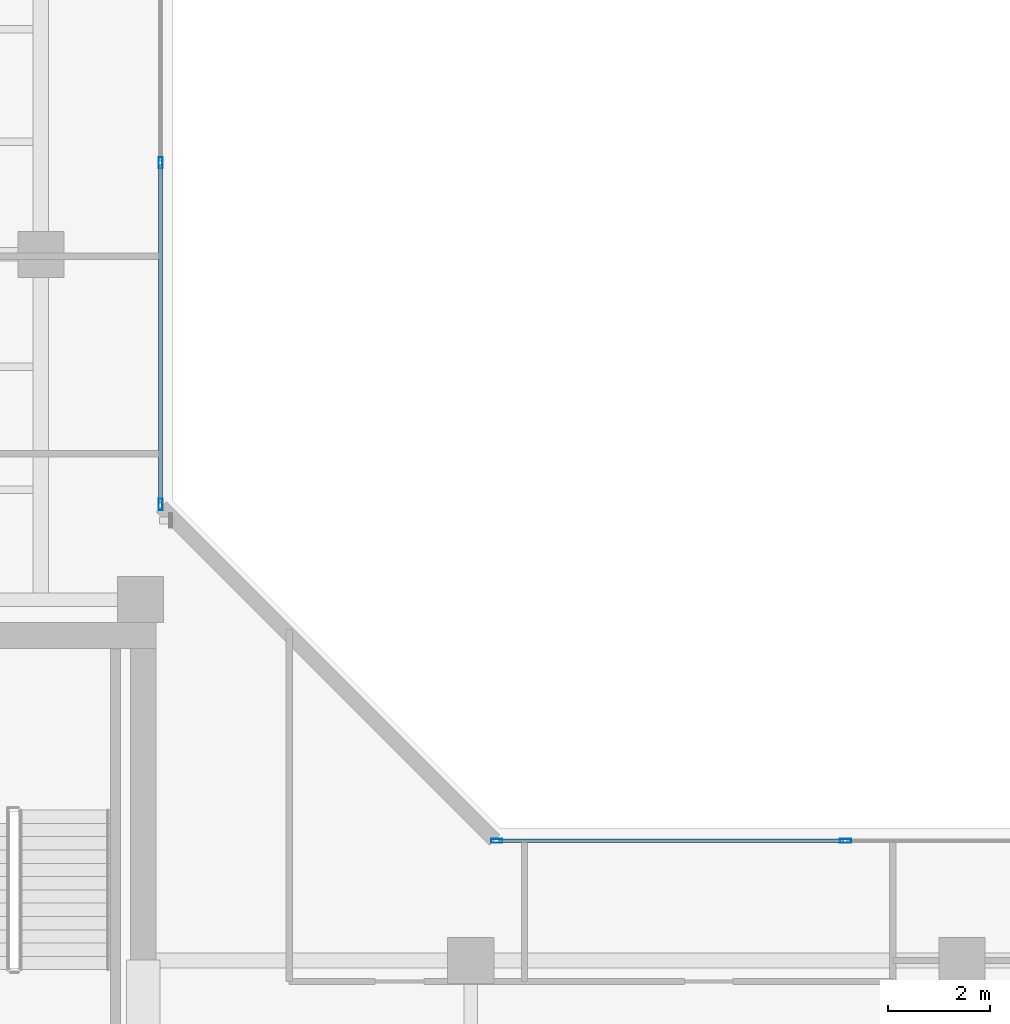
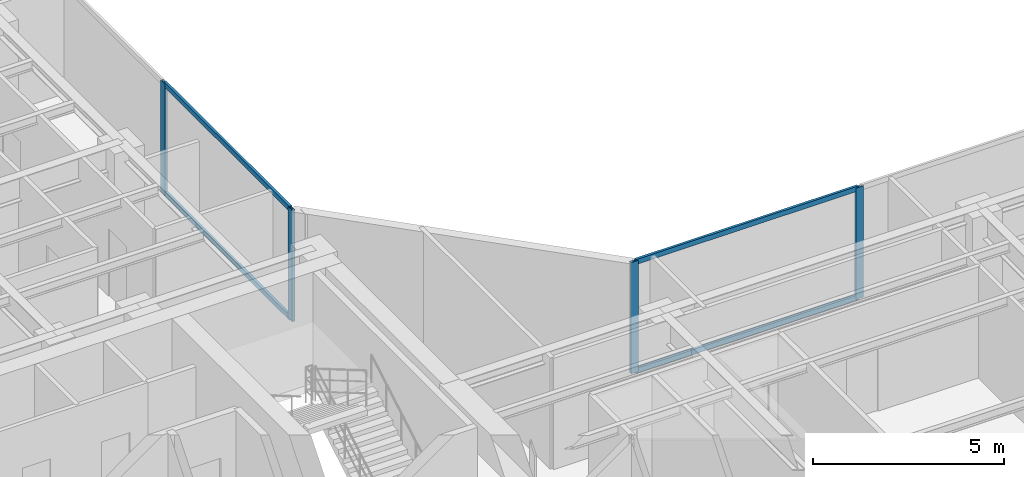
# One storey, part 10 of 23: 8 members, 2 elements without a shape of their own.
"""IFC4 building model written with IfcOpenShell, lengths in metres."""

from ifc_helpers import new_model, si_unit, direction, frame, origin, origin_with_axes, origin_2d, place, context, subcontext, project, spatial, hollow_rectangle, extrude, source, transform, mapped, material, layer, layer_set, material_profile, profile_set, type_object, element, aggregate, save


model = new_model("IFC4")

# Units and contexts
model_context = context("Model", 3, precision=1e-05, world=origin(), true_north=direction((0.0, 1.0)))
body_context = subcontext(model_context, "Body", "Model", "MODEL_VIEW")
ifc_project = project(units=[si_unit("LENGTHUNIT", "METRE"), si_unit("AREAUNIT", "SQUARE_METRE"), si_unit("VOLUMEUNIT", "CUBIC_METRE"), si_unit("PLANEANGLEUNIT", "RADIAN"), si_unit("MASSUNIT", "GRAM", prefix="KILO")], contexts=[model_context])

# Site, building, storey
site_placement = place(None, origin())
site = spatial("IfcSite", under=ifc_project, at=site_placement, CompositionType="ELEMENT")
building_placement = place(site_placement, origin())
building = spatial("IfcBuilding", under=site, at=building_placement, Name="Kolvaren Waterfront Exchange", CompositionType="ELEMENT")
storey_placement = place(building_placement, frame((0.0, 0.0, 270.39990234375)))
storey = spatial("IfcBuildingStorey", under=building, at=storey_placement, Name="L69", CompositionType="ELEMENT", Elevation=270.39990234375)

# Curtain wall, members
ifc_material_1 = material(Name="Anodised bronze aluminium 6063-T6", Category="aluminium")
ifc_layer = layer(ifc_material_1, 0.219970703125, Name="Anodised bronze aluminium 6063-T6")
ifc_layer_set = layer_set([ifc_layer], Name="Anodised bronze aluminium 6063-T6")
curtain_wall_type = type_object("IfcCurtainWallType", Name="ARC-CW-SYS1", PredefinedType="USERDEFINED", material=ifc_layer_set)
curtain_wall_1_placement = place(storey_placement, origin())
curtain_wall_1 = element("IfcCurtainWall", 1, at=curtain_wall_1_placement, inside=storey, type_object=curtain_wall_type, Name="L69 stick curtain wall CW1 (CW-L69-NE)", ObjectType="STICK CURTAIN WALL", PredefinedType="USERDEFINED")
ifc_material_2 = material(Name="Anodised aluminium 6063-T6", Category="aluminium")
ifc_material_profile_1 = material_profile(ifc_material_2, hollow_rectangle(XDim=0.080078125, YDim=0.219970703125, WallThickness=0.0048828125, at=origin_2d()), Name="ALU-MUL-220x80x5")
ifc_profile_set_1 = profile_set([ifc_material_profile_1], Name="Anodised aluminium 6063-T6")
member_type_1 = type_object("IfcMemberType", Name="ARC-CWM-220", PredefinedType="MULLION", material=ifc_profile_set_1)
shared_shape_1 = source(origin_with_axes(), body_context, "Body", "SweptSolid", [
    extrude(hollow_rectangle(XDim=0.080078125, YDim=0.219970703125, WallThickness=0.0048828125, at=origin_2d()), origin(), (0.0, 0.0, 1.0), 3.56005859375),
])
member_1_placement = place(storey_placement, frame((21.138916015625, 26.308837890625, 0.0), z_axis=(0.0, 0.0, 1.0), x_axis=(-1.0, 0.0, 0.0)))
member_1 = element("IfcMember", 2, at=member_1_placement, type_object=member_type_1, Name="CW1 mullion 1", PredefinedType="MULLION", context=body_context, shape_type="MappedRepresentation", body=[
    mapped(shared_shape_1, transform((0.0, 0.0, 0.0), x_axis=(1.0, 0.0, 0.0), y_axis=(0.0, 1.0, 0.0), z_axis=(0.0, 0.0, 1.0), scale=1.0)),
])
member_2_placement = place(storey_placement, frame((21.138916015625, 32.988037109375, 0.0), z_axis=(0.0, 0.0, 1.0), x_axis=(-1.0, 0.0, 0.0)))
member_2 = element("IfcMember", 3, at=member_2_placement, type_object=member_type_1, Name="CW1 mullion 2", PredefinedType="MULLION", context=body_context, shape_type="MappedRepresentation", body=[
    mapped(shared_shape_1, transform((0.0, 0.0, 0.0), x_axis=(1.0, 0.0, 0.0), y_axis=(0.0, 1.0, 0.0), z_axis=(0.0, 0.0, 1.0), scale=1.0)),
])

curtain_wall_2_placement = place(storey_placement, origin())
curtain_wall_2 = element("IfcCurtainWall", 4, at=curtain_wall_2_placement, inside=storey, type_object=curtain_wall_type, Name="L69 stick curtain wall CW1 (CW-L69-EN)", ObjectType="STICK CURTAIN WALL", PredefinedType="USERDEFINED")
member_3_placement = place(storey_placement, frame((27.708984375, 19.739013671875, 0.0), z_axis=(0.0, 0.0, 1.0), x_axis=(0.0, 1.0, 0.0)))
member_3 = element("IfcMember", 5, at=member_3_placement, type_object=member_type_1, Name="CW1 mullion 1", PredefinedType="MULLION", context=body_context, shape_type="MappedRepresentation", body=[
    mapped(shared_shape_1, transform((0.0, 0.0, 0.0), x_axis=(1.0, 0.0, 0.0), y_axis=(0.0, 1.0, 0.0), z_axis=(0.0, 0.0, 1.0), scale=1.0)),
])
member_4_placement = place(storey_placement, frame((34.521484375, 19.739013671875, 0.0), z_axis=(0.0, 0.0, 1.0), x_axis=(0.0, 1.0, 0.0)))
member_4 = element("IfcMember", 6, at=member_4_placement, type_object=member_type_1, Name="CW1 mullion 2", PredefinedType="MULLION", context=body_context, shape_type="MappedRepresentation", body=[
    mapped(shared_shape_1, transform((0.0, 0.0, 0.0), x_axis=(1.0, 0.0, 0.0), y_axis=(0.0, 1.0, 0.0), z_axis=(0.0, 0.0, 1.0), scale=1.0)),
])

# Member
ifc_material_profile_2 = material_profile(ifc_material_2, hollow_rectangle(XDim=0.074951171875, YDim=0.159912109375, WallThickness=0.00439453125, at=origin_2d()), Name="ALU-TRN-160x75x4.5")
ifc_profile_set_2 = profile_set([ifc_material_profile_2], Name="Anodised aluminium 6063-T6")
member_type_2 = type_object("IfcMemberType", Name="ARC-CWT-160", PredefinedType="USERDEFINED", material=ifc_profile_set_2)
shared_shape_2 = source(origin_with_axes(), body_context, "Body", "SweptSolid", [
    extrude(hollow_rectangle(XDim=0.074951171875, YDim=0.159912109375, WallThickness=0.00439453125, at=origin_2d()), origin(), (0.0, 0.0, 1.0), 6.59912109375),
])
member_5_placement = place(storey_placement, frame((21.138916015625, 26.348876953125, 0.03759765625), z_axis=(0.0, 1.0, 0.0), x_axis=(-1.0, 0.0, 0.0)))
member_5 = element("IfcMember", 7, at=member_5_placement, type_object=member_type_2, Name="CW1 transom 1.1", ObjectType="TRANSOM", PredefinedType="USERDEFINED", context=body_context, shape_type="MappedRepresentation", body=[
    mapped(shared_shape_2, transform((0.0, 0.0, 0.0), x_axis=(1.0, 0.0, 0.0), y_axis=(0.0, 1.0, 0.0), z_axis=(0.0, 0.0, 1.0), scale=1.0)),
])

member_6_placement = place(storey_placement, frame((21.138916015625, 26.348876953125, 3.522705078125), z_axis=(0.0, 1.0, 0.0), x_axis=(-1.0, 0.0, 0.0)))
member_6 = element("IfcMember", 8, at=member_6_placement, type_object=member_type_2, Name="CW1 transom 1.2", ObjectType="TRANSOM", PredefinedType="USERDEFINED", context=body_context, shape_type="MappedRepresentation", body=[
    mapped(shared_shape_2, transform((0.0, 0.0, 0.0), x_axis=(1.0, 0.0, 0.0), y_axis=(0.0, 1.0, 0.0), z_axis=(0.0, 0.0, 1.0), scale=1.0)),
])

aggregate(curtain_wall_1, [member_1, member_2, member_5, member_6])

shared_shape_3 = source(origin_with_axes(), body_context, "Body", "SweptSolid", [
    extrude(hollow_rectangle(XDim=0.074951171875, YDim=0.159912109375, WallThickness=0.00439453125, at=origin_2d()), origin(), (0.0, 0.0, 1.0), 6.732666015625),
])
member_7_placement = place(storey_placement, frame((27.748779296875, 19.739013671875, 0.03759765625), z_axis=(1.0, 0.0, 0.0), x_axis=(0.0, 1.0, 0.0)))
member_7 = element("IfcMember", 9, at=member_7_placement, type_object=member_type_2, Name="CW1 transom 1.1", ObjectType="TRANSOM", PredefinedType="USERDEFINED", context=body_context, shape_type="MappedRepresentation", body=[
    mapped(shared_shape_3, transform((0.0, 0.0, 0.0), x_axis=(1.0, 0.0, 0.0), y_axis=(0.0, 1.0, 0.0), z_axis=(0.0, 0.0, 1.0), scale=1.0)),
])

member_8_placement = place(storey_placement, frame((27.748779296875, 19.739013671875, 3.522705078125), z_axis=(1.0, 0.0, 0.0), x_axis=(0.0, 1.0, 0.0)))
member_8 = element("IfcMember", 10, at=member_8_placement, type_object=member_type_2, Name="CW1 transom 1.2", ObjectType="TRANSOM", PredefinedType="USERDEFINED", context=body_context, shape_type="MappedRepresentation", body=[
    mapped(shared_shape_3, transform((0.0, 0.0, 0.0), x_axis=(1.0, 0.0, 0.0), y_axis=(0.0, 1.0, 0.0), z_axis=(0.0, 0.0, 1.0), scale=1.0)),
])

aggregate(curtain_wall_2, [member_3, member_4, member_7, member_8])

save(model, "model.ifc")
